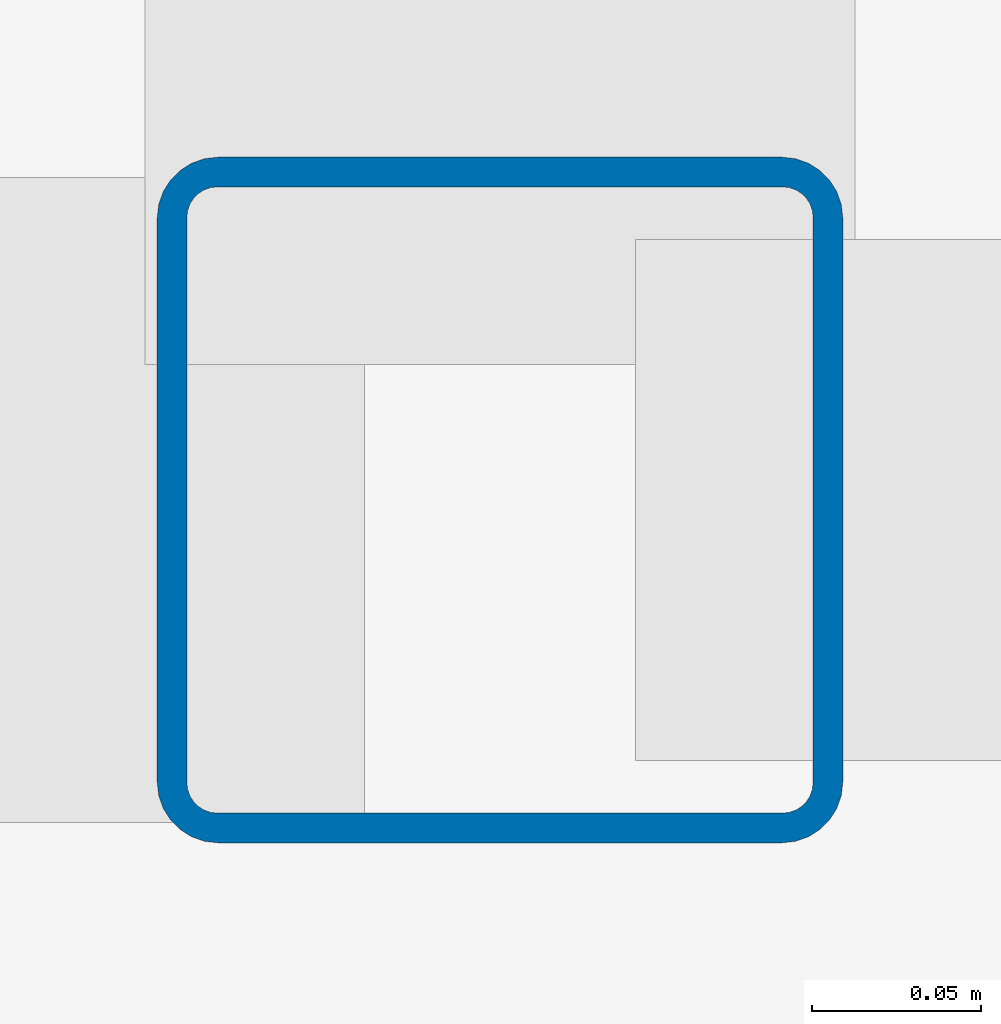
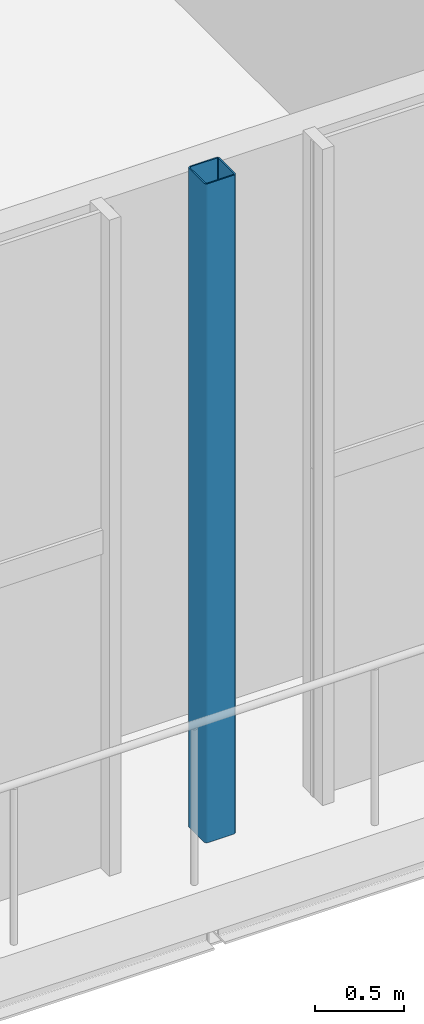
# One storey, part 5 of 70: 1 column.
"""IFC4 building model written with IfcOpenShell, lengths in metres."""

from ifc_helpers import new_model, si_unit, direction, frame, origin, origin_2d, place, context, subcontext, project, spatial, hollow_rectangle, extrude, material, material_profile, profile_set, type_object, element, save


model = new_model("IFC4")

# Units and contexts
model_context = context("Model", 3, precision=1e-05, world=origin(), true_north=direction((0.0, 1.0)))
body_context = subcontext(model_context, "Body", "Model", "MODEL_VIEW")
ifc_project = project(units=[si_unit("LENGTHUNIT", "METRE"), si_unit("AREAUNIT", "SQUARE_METRE"), si_unit("VOLUMEUNIT", "CUBIC_METRE"), si_unit("PLANEANGLEUNIT", "RADIAN"), si_unit("MASSUNIT", "GRAM", prefix="KILO")], contexts=[model_context])

# Site, building, storey
site_placement = place(None, origin())
site = spatial("IfcSite", under=ifc_project, at=site_placement, CompositionType="ELEMENT")
building_placement = place(site_placement, origin())
building = spatial("IfcBuilding", under=site, at=building_placement, Name="Brisemont Oceanarium", CompositionType="ELEMENT")
storey_placement = place(building_placement, frame((0.0, 0.0, 10.199951171875)))
storey = spatial("IfcBuildingStorey", under=building, at=storey_placement, Name="L02", CompositionType="ELEMENT", Elevation=10.199951171875)

# Column
ifc_material = material(Name="Structural Steel ASTM A500 Gr.C", Category="steel")
ifc_material_profile = material_profile(ifc_material, hollow_rectangle(XDim=0.202880859375, YDim=0.202880859375, WallThickness=0.0087890625, InnerFilletRadius=0.009033203125, OuterFilletRadius=0.01806640625, at=origin_2d()), Name="HSS8X8X3/8")
ifc_profile_set = profile_set([ifc_material_profile], Name="Structural Steel ASTM A500 Gr.C")
column_type = type_object("IfcColumnType", Name="COL-HSS8X8", PredefinedType="COLUMN", material=ifc_profile_set)
column_placement = place(storey_placement, frame((72.0, 32.64990234375, 0.0), z_axis=(0.0, 0.0, 1.0), x_axis=(1.0, 0.0, 0.0)))
element("IfcColumn", 1, at=column_placement, inside=storey, type_object=column_type, Name="V1 L02 column (2,0)", PredefinedType="COLUMN", context=body_context, shape_type="SweptSolid", body=[
    extrude(hollow_rectangle(XDim=0.202880859375, YDim=0.202880859375, WallThickness=0.0087890625, InnerFilletRadius=0.009033203125, OuterFilletRadius=0.01806640625, at=origin_2d()), origin(), (0.0, 0.0, 1.0), 4.5400390625),
])

save(model, "model.ifc")
